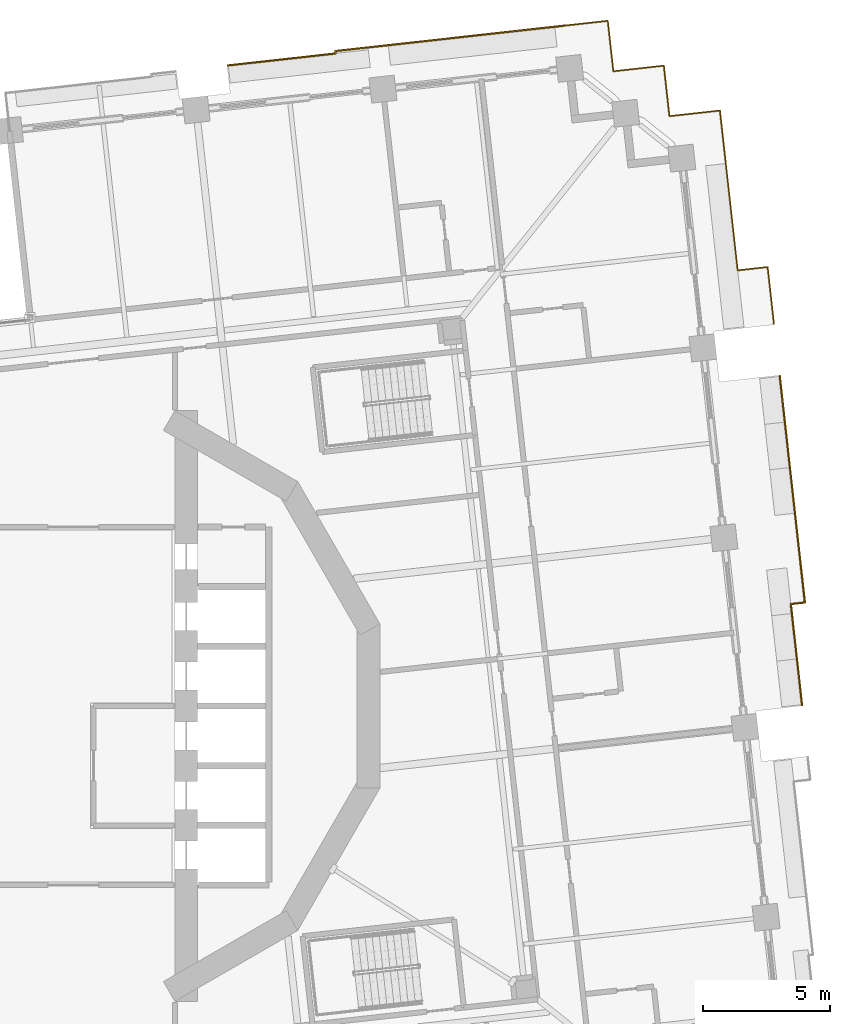
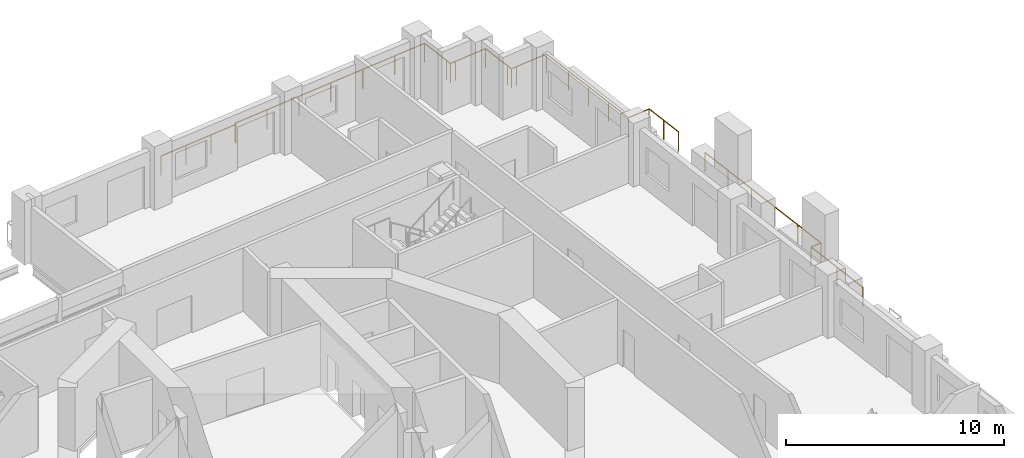
# One storey, part 20 of 21: 3 railings.
"""IFC4 building model written with IfcOpenShell, lengths in metres."""

from ifc_helpers import new_model, si_unit, direction, frame, origin, origin_2d, place, context, subcontext, project, spatial, circle, extrude, material, type_object, element, save


model = new_model("IFC4")

# Units and contexts
model_context = context("Model", 3, precision=1e-05, world=origin(), true_north=direction((0.0, 1.0)))
body_context = subcontext(model_context, "Body", "Model", "MODEL_VIEW")
ifc_project = project(units=[si_unit("LENGTHUNIT", "METRE"), si_unit("AREAUNIT", "SQUARE_METRE"), si_unit("VOLUMEUNIT", "CUBIC_METRE"), si_unit("PLANEANGLEUNIT", "RADIAN"), si_unit("MASSUNIT", "GRAM", prefix="KILO")], contexts=[model_context])

# Site, building, storey
site_placement = place(None, origin())
site = spatial("IfcSite", under=ifc_project, at=site_placement, CompositionType="ELEMENT")
building_placement = place(site_placement, origin())
building = spatial("IfcBuilding", under=site, at=building_placement, Name="Cantera Rosa Tower", CompositionType="ELEMENT")
storey_placement = place(building_placement, frame((0.0, 0.0, 61.5)))
storey = spatial("IfcBuildingStorey", under=building, at=storey_placement, Name="L12", CompositionType="ELEMENT", Elevation=61.5)

# Railings
ifc_material = material(Name="Stainless steel and laminated glass", Category="steel")
railing_type = type_object("IfcRailingType", Name="GUARD 1100", PredefinedType="BALUSTRADE", material=ifc_material)
railing_1_placement = place(storey_placement, frame((27.823486328125, 12.99853515625, 0.0)))
element("IfcRailing", 1, at=railing_1_placement, inside=storey, type_object=railing_type, Name="GUARD L12-12", PredefinedType="BALUSTRADE", context=body_context, shape_type="SweptSolid", body=[
    extrude(circle(Radius=0.030029296875, at=origin_2d()), frame((0.0, 0.0, 1.070068359375), z_axis=(0.11030317772, -0.993897987212, 0.0), x_axis=(0.993897987212, 0.11030317772, 0.0)), (0.0, 0.0, 1.0), 8.977294921875),
    extrude(circle(Radius=0.030029296875, at=origin_2d()), frame((0.990234375, -8.922607421875, 1.070068359375), z_axis=(-0.993873032391, -0.110527804132, 0.0), x_axis=(0.110527804132, -0.993873032391, 0.0)), (0.0, 0.0, 1.0), 0.556640625),
    extrude(circle(Radius=0.030029296875, at=origin_2d()), frame((0.43701171875, -8.984130859375, 1.070068359375), z_axis=(0.110344492621, -0.9938934012, 0.0), x_axis=(0.9938934012, 0.110344492621, 0.0)), (0.0, 0.0, 1.0), 4.00244140625),
    extrude(circle(Radius=0.02490234375, at=origin_2d()), origin(), (0.0, 0.0, 1.0), 1.0400390625),
    extrude(circle(Radius=0.02490234375, at=origin_2d()), frame((0.197998046875, -1.784423828125, 0.0)), (0.0, 0.0, 1.0), 1.0400390625),
    extrude(circle(Radius=0.02490234375, at=origin_2d()), frame((0.39599609375, -3.569091796875, 0.0)), (0.0, 0.0, 1.0), 1.0400390625),
    extrude(circle(Radius=0.02490234375, at=origin_2d()), frame((0.59423828125, -5.353515625, 0.0)), (0.0, 0.0, 1.0), 1.0400390625),
    extrude(circle(Radius=0.02490234375, at=origin_2d()), frame((0.792236328125, -7.13818359375, 0.0)), (0.0, 0.0, 1.0), 1.0400390625),
    extrude(circle(Radius=0.02490234375, at=origin_2d()), frame((0.990234375, -8.922607421875, 0.0)), (0.0, 0.0, 1.0), 1.0400390625),
    extrude(circle(Radius=0.02490234375, at=origin_2d()), frame((0.43701171875, -8.984130859375, 0.0)), (0.0, 0.0, 1.0), 1.0400390625),
    extrude(circle(Radius=0.02490234375, at=origin_2d()), frame((0.65771484375, -10.97314453125, 0.0)), (0.0, 0.0, 1.0), 1.0400390625),
    extrude(circle(Radius=0.02490234375, at=origin_2d()), frame((0.878662109375, -12.962158203125, 0.0)), (0.0, 0.0, 1.0), 1.0400390625),
])
railing_2_placement = place(storey_placement, frame((19.36181640625, 26.79931640625, 0.0)))
element("IfcRailing", 2, at=railing_2_placement, inside=storey, type_object=railing_type, Name="GUARD L12-13", PredefinedType="BALUSTRADE", context=body_context, shape_type="SweptSolid", body=[
    extrude(circle(Radius=0.030029296875, at=origin_2d()), frame((0.0, 0.0, 1.070068359375), z_axis=(0.993883734674, 0.110431526075, 0.0), x_axis=(-0.110431526075, 0.993883734674, 0.0)), (0.0, 0.0, 1.0), 1.7001953125),
    extrude(circle(Radius=0.030029296875, at=origin_2d()), frame((1.689697265625, 0.187744140625, 1.070068359375), z_axis=(0.110289669906, -0.993899486222, 0.0), x_axis=(0.993899486222, 0.110289669906, 0.0)), (0.0, 0.0, 1.0), 1.699951171875),
    extrude(circle(Radius=0.030029296875, at=origin_2d()), frame((1.877197265625, -1.501953125, 1.070068359375), z_axis=(0.110699535641, -0.99385391925, 0.0), x_axis=(0.99385391925, 0.110699535641, 0.0)), (0.0, 0.0, 1.0), 0.300048828125),
    extrude(circle(Radius=0.030029296875, at=origin_2d()), frame((1.910400390625, -1.800048828125, 1.070068359375), z_axis=(0.993943154022, 0.10989543472, 0.0), x_axis=(-0.10989543472, 0.993943154022, 0.0)), (0.0, 0.0, 1.0), 0.2998046875),
    extrude(circle(Radius=0.030029296875, at=origin_2d()), frame((2.20849609375, -1.76708984375, 1.070068359375), z_axis=(0.993899486222, 0.110289669906, 0.0), x_axis=(-0.110289669906, 0.993899486222, 0.0)), (0.0, 0.0, 1.0), 1.699951171875),
    extrude(circle(Radius=0.030029296875, at=origin_2d()), frame((3.898193359375, -1.57958984375, 1.070068359375), z_axis=(0.110305413813, -0.993897739047, 0.0), x_axis=(0.993897739047, 0.110305413813, 0.0)), (0.0, 0.0, 1.0), 1.69970703125),
    extrude(circle(Radius=0.030029296875, at=origin_2d()), frame((4.085693359375, -3.26904296875, 1.070068359375), z_axis=(0.1098065887, -0.993952973273, 0.0), x_axis=(0.993952973273, 0.1098065887, 0.0)), (0.0, 0.0, 1.0), 0.300048828125),
    extrude(circle(Radius=0.030029296875, at=origin_2d()), frame((4.11865234375, -3.5673828125, 1.070068359375), z_axis=(0.993863881828, 0.110610055588, 0.0), x_axis=(-0.110610055588, 0.993863881828, 0.0)), (0.0, 0.0, 1.0), 0.30029296875),
    extrude(circle(Radius=0.030029296875, at=origin_2d()), frame((4.4169921875, -3.5341796875, 1.070068359375), z_axis=(0.993897739047, 0.110305413813, 0.0), x_axis=(-0.110305413813, 0.993897739047, 0.0)), (0.0, 0.0, 1.0), 1.69970703125),
    extrude(circle(Radius=0.030029296875, at=origin_2d()), frame((6.1064453125, -3.3466796875, 1.070068359375), z_axis=(0.110289669906, -0.993899486222, 0.0), x_axis=(0.993899486222, 0.110289669906, 0.0)), (0.0, 0.0, 1.0), 1.699951171875),
    extrude(circle(Radius=0.030029296875, at=origin_2d()), frame((6.2939453125, -5.036376953125, 1.070068359375), z_axis=(0.110310048323, -0.993897224686, 0.0), x_axis=(0.993897224686, 0.110310048323, 0.0)), (0.0, 0.0, 1.0), 4.63232421875),
    extrude(circle(Radius=0.030029296875, at=origin_2d()), frame((6.804931640625, -9.640380859375, 1.070068359375), z_axis=(0.993911279604, 0.110183339373, 0.0), x_axis=(-0.110183339373, 0.993911279604, 0.0)), (0.0, 0.0, 1.0), 1.187744140625),
    extrude(circle(Radius=0.030029296875, at=origin_2d()), frame((7.9853515625, -9.509521484375, 1.070068359375), z_axis=(0.110312824257, -0.993896916589, 0.0), x_axis=(0.993896916589, 0.110312824257, 0.0)), (0.0, 0.0, 1.0), 2.25732421875),
    extrude(circle(Radius=0.02490234375, at=origin_2d()), origin(), (0.0, 0.0, 1.0), 1.0400390625),
    extrude(circle(Radius=0.02490234375, at=origin_2d()), frame((1.689697265625, 0.187744140625, 0.0)), (0.0, 0.0, 1.0), 1.0400390625),
    extrude(circle(Radius=0.02490234375, at=origin_2d()), frame((1.877197265625, -1.501953125, 0.0)), (0.0, 0.0, 1.0), 1.0400390625),
    extrude(circle(Radius=0.02490234375, at=origin_2d()), frame((1.910400390625, -1.800048828125, 0.0)), (0.0, 0.0, 1.0), 1.0400390625),
    extrude(circle(Radius=0.02490234375, at=origin_2d()), frame((2.20849609375, -1.76708984375, 0.0)), (0.0, 0.0, 1.0), 1.0400390625),
    extrude(circle(Radius=0.02490234375, at=origin_2d()), frame((3.898193359375, -1.57958984375, 0.0)), (0.0, 0.0, 1.0), 1.0400390625),
    extrude(circle(Radius=0.02490234375, at=origin_2d()), frame((4.085693359375, -3.26904296875, 0.0)), (0.0, 0.0, 1.0), 1.0400390625),
    extrude(circle(Radius=0.02490234375, at=origin_2d()), frame((4.11865234375, -3.5673828125, 0.0)), (0.0, 0.0, 1.0), 1.0400390625),
    extrude(circle(Radius=0.02490234375, at=origin_2d()), frame((4.4169921875, -3.5341796875, 0.0)), (0.0, 0.0, 1.0), 1.0400390625),
    extrude(circle(Radius=0.02490234375, at=origin_2d()), frame((6.1064453125, -3.3466796875, 0.0)), (0.0, 0.0, 1.0), 1.0400390625),
    extrude(circle(Radius=0.02490234375, at=origin_2d()), frame((6.2939453125, -5.036376953125, 0.0)), (0.0, 0.0, 1.0), 1.0400390625),
    extrude(circle(Radius=0.02490234375, at=origin_2d()), frame((6.46435546875, -6.571044921875, 0.0)), (0.0, 0.0, 1.0), 1.0400390625),
    extrude(circle(Radius=0.02490234375, at=origin_2d()), frame((6.634521484375, -8.105712890625, 0.0)), (0.0, 0.0, 1.0), 1.0400390625),
    extrude(circle(Radius=0.02490234375, at=origin_2d()), frame((6.804931640625, -9.640380859375, 0.0)), (0.0, 0.0, 1.0), 1.0400390625),
    extrude(circle(Radius=0.02490234375, at=origin_2d()), frame((7.9853515625, -9.509521484375, 0.0)), (0.0, 0.0, 1.0), 1.0400390625),
    extrude(circle(Radius=0.02490234375, at=origin_2d()), frame((8.10986328125, -10.63134765625, 0.0)), (0.0, 0.0, 1.0), 1.0400390625),
    extrude(circle(Radius=0.02490234375, at=origin_2d()), frame((8.234375, -11.753173828125, 0.0)), (0.0, 0.0, 1.0), 1.0400390625),
])
railing_3_placement = place(storey_placement, frame((6.083984375, 25.22900390625, 0.0)))
element("IfcRailing", 3, at=railing_3_placement, inside=storey, type_object=railing_type, Name="GUARD L12-14", PredefinedType="BALUSTRADE", context=body_context, shape_type="SweptSolid", body=[
    extrude(circle(Radius=0.030029296875, at=origin_2d()), frame((0.0, 0.0, 1.070068359375), z_axis=(0.993899065121, 0.110293464685, 0.0), x_axis=(-0.110293464685, 0.993899065121, 0.0)), (0.0, 0.0, 1.0), 4.27001953125),
    extrude(circle(Radius=0.030029296875, at=origin_2d()), frame((4.243896484375, 0.470947265625, 1.070068359375), z_axis=(-0.109039814969, 0.994037382975, 0.0), x_axis=(-0.994037382975, -0.109039814969, 0.0)), (0.0, 0.0, 1.0), 0.09619140625),
    extrude(circle(Radius=0.030029296875, at=origin_2d()), frame((4.2333984375, 0.566650390625, 1.070068359375), z_axis=(0.993899102511, 0.110293127745, 0.0), x_axis=(-0.110293127745, 0.993899102511, 0.0)), (0.0, 0.0, 1.0), 9.099853515625),
    extrude(circle(Radius=0.02490234375, at=origin_2d()), origin(), (0.0, 0.0, 1.0), 1.0400390625),
    extrude(circle(Radius=0.02490234375, at=origin_2d()), frame((1.41455078125, 0.156982421875, 0.0)), (0.0, 0.0, 1.0), 1.0400390625),
    extrude(circle(Radius=0.02490234375, at=origin_2d()), frame((2.829345703125, 0.31396484375, 0.0)), (0.0, 0.0, 1.0), 1.0400390625),
    extrude(circle(Radius=0.02490234375, at=origin_2d()), frame((4.243896484375, 0.470947265625, 0.0)), (0.0, 0.0, 1.0), 1.0400390625),
    extrude(circle(Radius=0.02490234375, at=origin_2d()), frame((4.2333984375, 0.566650390625, 0.0)), (0.0, 0.0, 1.0), 1.0400390625),
    extrude(circle(Radius=0.02490234375, at=origin_2d()), frame((6.042236328125, 0.767333984375, 0.0)), (0.0, 0.0, 1.0), 1.0400390625),
    extrude(circle(Radius=0.02490234375, at=origin_2d()), frame((7.85107421875, 0.968017578125, 0.0)), (0.0, 0.0, 1.0), 1.0400390625),
    extrude(circle(Radius=0.02490234375, at=origin_2d()), frame((9.66015625, 1.1689453125, 0.0)), (0.0, 0.0, 1.0), 1.0400390625),
    extrude(circle(Radius=0.02490234375, at=origin_2d()), frame((11.468994140625, 1.36962890625, 0.0)), (0.0, 0.0, 1.0), 1.0400390625),
    extrude(circle(Radius=0.02490234375, at=origin_2d()), frame((13.27783203125, 1.5703125, 0.0)), (0.0, 0.0, 1.0), 1.0400390625),
])

save(model, "model.ifc")
